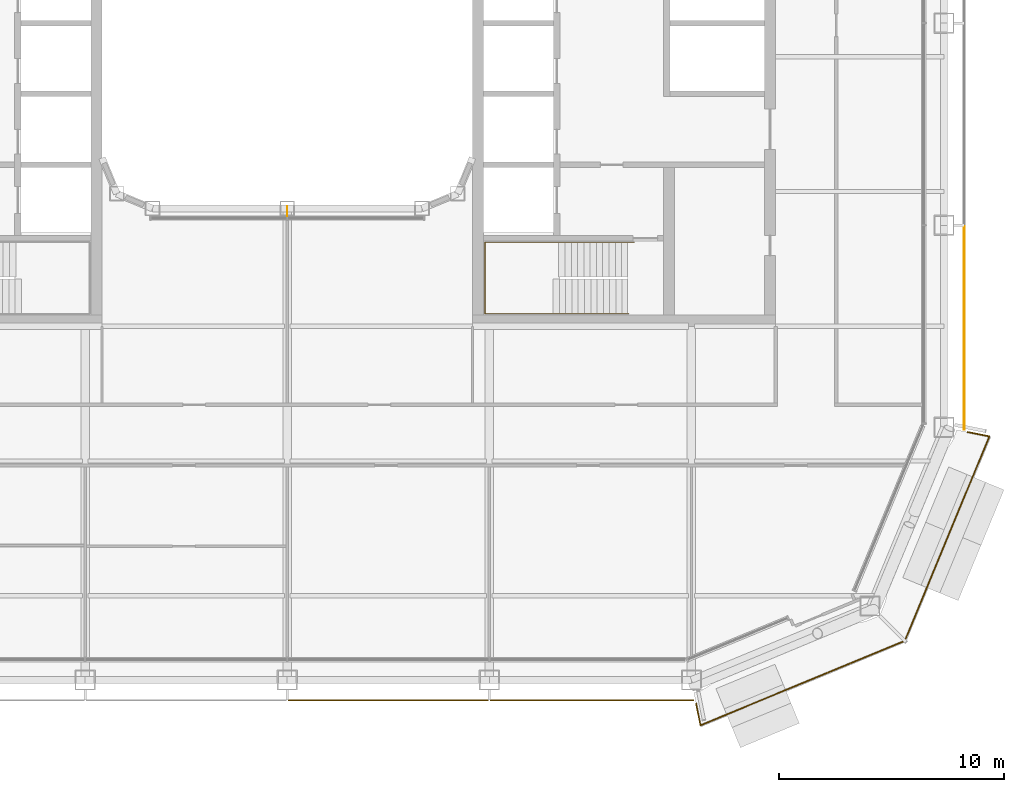
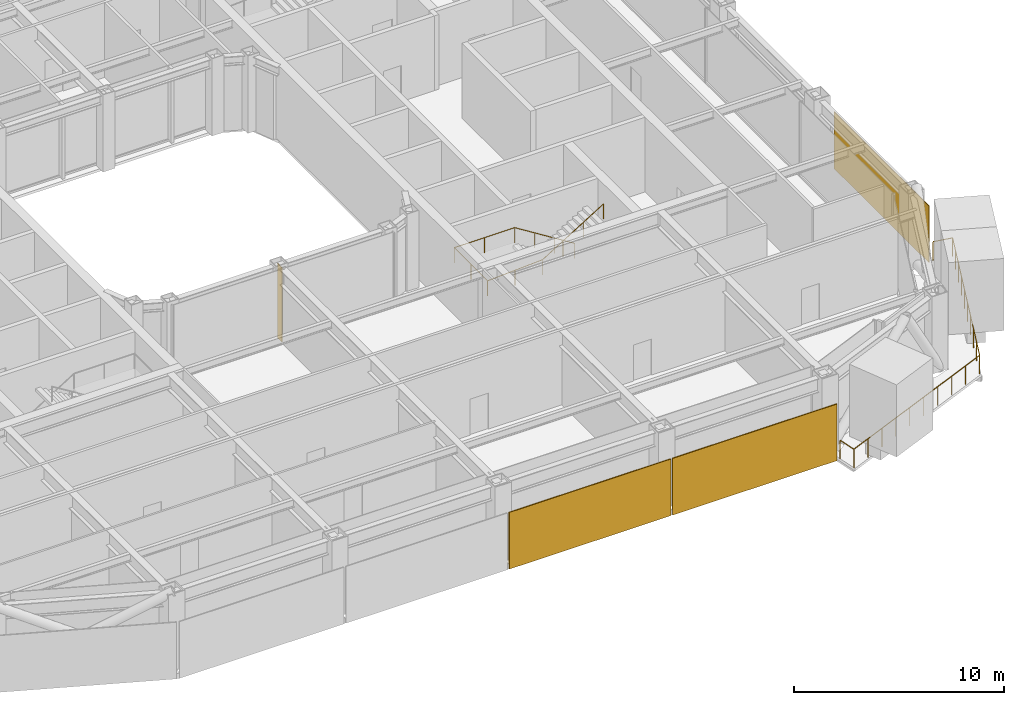
# One storey, part 19 of 23: 3 coverings, 2 railings, 1 shading device.
"""IFC4 building model written with IfcOpenShell, lengths in metres."""

from ifc_helpers import new_model, si_unit, direction, frame, origin, origin_2d, place, context, subcontext, project, spatial, rectangle, circle, extrude, material, layer, layer_set, type_object, element, save


model = new_model("IFC4")

# Units and contexts
model_context = context("Model", 3, precision=1e-05, world=origin(), true_north=direction((0.0, 1.0)))
body_context = subcontext(model_context, "Body", "Model", "MODEL_VIEW")
ifc_project = project(units=[si_unit("LENGTHUNIT", "METRE"), si_unit("AREAUNIT", "SQUARE_METRE"), si_unit("VOLUMEUNIT", "CUBIC_METRE"), si_unit("PLANEANGLEUNIT", "RADIAN"), si_unit("MASSUNIT", "GRAM", prefix="KILO")], contexts=[model_context])

# Site, building, storey
site_placement = place(None, origin())
site = spatial("IfcSite", under=ifc_project, at=site_placement, CompositionType="ELEMENT")
building_placement = place(site_placement, origin())
building = spatial("IfcBuilding", under=site, at=building_placement, Name="Siwar Civic Tower", CompositionType="ELEMENT")
storey_placement = place(building_placement, frame((0.0, 0.0, 145.199951171875)))
storey = spatial("IfcBuildingStorey", under=building, at=storey_placement, Name="L31", CompositionType="ELEMENT", Elevation=145.199951171875)

# Railing
ifc_material_1 = material(Name="Stainless steel", Category="steel")
railing_type_1 = type_object("IfcRailingType", Name="CORE-STAIR-HANDRAIL", PredefinedType="HANDRAIL", material=ifc_material_1)
railing_1_placement = place(storey_placement, frame((15.449951171875, -9.758056640625, 0.173095703125)))
element("IfcRailing", 1, at=railing_1_placement, inside=storey, type_object=railing_type_1, Name="Stair handrail ST4", PredefinedType="HANDRAIL", context=body_context, shape_type="SweptSolid", body=[
    extrude(circle(Radius=0.02001953125, at=origin_2d()), frame((0.0, 0.0, 0.8798828125), z_axis=(-0.847063342986, 0.0, 0.531491950051), x_axis=(0.0, -1.0, 0.0)), (0.0, 0.0, 1.0), 3.90771484375),
    extrude(circle(Radius=0.02001953125, at=origin_2d()), frame((-3.31005859375, 0.0, 2.956787109375), z_axis=(-1.0, 0.0, 0.0), x_axis=(0.0, -1.0, 0.0)), (0.0, 0.0, 1.0), 3.331787109375),
    extrude(circle(Radius=0.02001953125, at=origin_2d()), frame((-6.641845703125, 0.0, 2.956787109375), z_axis=(0.0, -1.0, 0.0), x_axis=(1.0, 0.0, 0.0)), (0.0, 0.0, 1.0), 3.183837890625),
    extrude(circle(Radius=0.02001953125, at=origin_2d()), frame((-6.641845703125, -3.183837890625, 2.956787109375), z_axis=(0.99837434197, 0.0, 0.056997134106), x_axis=(0.0, 1.0, 0.0)), (0.0, 0.0, 1.0), 3.036865234375),
    extrude(circle(Radius=0.02001953125, at=origin_2d()), frame((-3.60986328125, -3.183837890625, 3.1298828125), z_axis=(0.850606129759, 0.0, 0.525803396734), x_axis=(0.0, 1.0, 0.0)), (0.0, 0.0, 1.0), 3.949951171875),
    extrude(circle(Radius=0.02001953125, at=origin_2d()), origin(), (0.0, 0.0, 1.0), 0.85986328125),
    extrude(circle(Radius=0.02001953125, at=origin_2d()), frame((-1.103271484375, 0.0, 0.6923828125)), (0.0, 0.0, 1.0), 0.85986328125),
    extrude(circle(Radius=0.02001953125, at=origin_2d()), frame((-2.206787109375, 0.0, 1.384521484375)), (0.0, 0.0, 1.0), 0.85986328125),
    extrude(circle(Radius=0.02001953125, at=origin_2d()), frame((-3.31005859375, 0.0, 2.076904296875)), (0.0, 0.0, 1.0), 0.85986328125),
    extrude(circle(Radius=0.02001953125, at=origin_2d()), frame((-4.97607421875, 0.0, 2.076904296875)), (0.0, 0.0, 1.0), 0.85986328125),
    extrude(circle(Radius=0.02001953125, at=origin_2d()), frame((-6.641845703125, 0.0, 2.076904296875)), (0.0, 0.0, 1.0), 0.85986328125),
    extrude(circle(Radius=0.02001953125, at=origin_2d()), frame((-6.641845703125, -1.591796875, 2.076904296875)), (0.0, 0.0, 1.0), 0.85986328125),
    extrude(circle(Radius=0.02001953125, at=origin_2d()), frame((-6.641845703125, -3.183837890625, 2.076904296875)), (0.0, 0.0, 1.0), 0.85986328125),
    extrude(circle(Radius=0.02001953125, at=origin_2d()), frame((-5.1259765625, -3.183837890625, 2.16357421875)), (0.0, 0.0, 1.0), 0.85986328125),
    extrude(circle(Radius=0.02001953125, at=origin_2d()), frame((-3.60986328125, -3.183837890625, 2.25)), (0.0, 0.0, 1.0), 0.85986328125),
    extrude(circle(Radius=0.02001953125, at=origin_2d()), frame((-2.489990234375, -3.183837890625, 2.9423828125)), (0.0, 0.0, 1.0), 0.85986328125),
    extrude(circle(Radius=0.02001953125, at=origin_2d()), frame((-1.369873046875, -3.183837890625, 3.634521484375)), (0.0, 0.0, 1.0), 0.85986328125),
    extrude(circle(Radius=0.02001953125, at=origin_2d()), frame((-0.25, -3.183837890625, 4.326904296875)), (0.0, 0.0, 1.0), 0.85986328125),
])

# Shading device
ifc_material_2 = material(Name="Aluminium 6063-T6", Category="aluminium")
ifc_layer_1 = layer(ifc_material_2, 0.02001953125)
ifc_layer_set_1 = layer_set([ifc_layer_1], Name="Aluminium 6063-T6")
shading_device_type = type_object("IfcShadingDeviceType", Name="ENV-FIN", PredefinedType="JALOUSIE", material=ifc_layer_set_1)
shading_device_placement = place(storey_placement, frame((0.0, -8.3701171875, 0.0), z_axis=(0.0, 0.0, 1.0), x_axis=(1.0, 0.0, 0.0)))
element("IfcShadingDevice", 2, at=shading_device_placement, inside=storey, type_object=shading_device_type, Name="SUNSHADE fin WS 1", PredefinedType="JALOUSIE", context=body_context, shape_type="SweptSolid", body=[
    extrude(rectangle(XDim=0.02001953125, YDim=0.449951171875, at=origin_2d()), origin(), (0.0, 0.0, 1.0), 4.35009765625),
])

# Railing
ifc_material_3 = material(Name="Stainless steel 316", Category="steel")
railing_type_2 = type_object("IfcRailingType", Name="ENV-GUARD", PredefinedType="GUARDRAIL", material=ifc_material_3)
railing_2_placement = place(storey_placement, frame((18.208251953125, -30.297119140625, 0.0)))
element("IfcRailing", 3, at=railing_2_placement, inside=storey, type_object=railing_type_2, Name="Balcony guard SE", PredefinedType="GUARDRAIL", context=body_context, shape_type="SweptSolid", body=[
    extrude(circle(Radius=0.02392578125, at=origin_2d()), frame((0.0, 0.0, 1.076171875), z_axis=(0.195123592472, -0.980778661911, 0.0), x_axis=(0.980778661911, 0.195123592472, 0.0)), (0.0, 0.0, 1.0), 0.993408203125),
    extrude(circle(Radius=0.02392578125, at=origin_2d()), frame((0.19384765625, -0.974365234375, 1.076171875), z_axis=(0.924056377406, 0.38225621169, 0.0), x_axis=(-0.38225621169, 0.924056377406, 0.0)), (0.0, 0.0, 1.0), 9.851806640625),
    extrude(circle(Radius=0.02392578125, at=origin_2d()), frame((9.29736328125, 2.79150390625, 1.076171875), z_axis=(0.38225621169, 0.924056377406, 0.0), x_axis=(-0.924056377406, 0.38225621169, 0.0)), (0.0, 0.0, 1.0), 9.851806640625),
    extrude(circle(Radius=0.02392578125, at=origin_2d()), frame((13.063232421875, 11.89501953125, 1.076171875), z_axis=(-0.980778661911, 0.195123592472, 0.0), x_axis=(-0.195123592472, -0.980778661911, 0.0)), (0.0, 0.0, 1.0), 0.993408203125),
    extrude(circle(Radius=0.02099609375, at=origin_2d()), origin(), (0.0, 0.0, 1.0), 1.052001953125),
    extrude(circle(Radius=0.02099609375, at=origin_2d()), frame((0.19384765625, -0.974365234375, 0.0)), (0.0, 0.0, 1.0), 1.052001953125),
    extrude(circle(Radius=0.02099609375, at=origin_2d()), frame((1.205322265625, -0.555908203125, 0.0)), (0.0, 0.0, 1.0), 1.052001953125),
    extrude(circle(Radius=0.02099609375, at=origin_2d()), frame((2.216796875, -0.137451171875, 0.0)), (0.0, 0.0, 1.0), 1.052001953125),
    extrude(circle(Radius=0.02099609375, at=origin_2d()), frame((3.228271484375, 0.281005859375, 0.0)), (0.0, 0.0, 1.0), 1.052001953125),
    extrude(circle(Radius=0.02099609375, at=origin_2d()), frame((4.23974609375, 0.699462890625, 0.0)), (0.0, 0.0, 1.0), 1.052001953125),
    extrude(circle(Radius=0.02099609375, at=origin_2d()), frame((5.25146484375, 1.11767578125, 0.0)), (0.0, 0.0, 1.0), 1.052001953125),
    extrude(circle(Radius=0.02099609375, at=origin_2d()), frame((6.262939453125, 1.5361328125, 0.0)), (0.0, 0.0, 1.0), 1.052001953125),
    extrude(circle(Radius=0.02099609375, at=origin_2d()), frame((7.2744140625, 1.95458984375, 0.0)), (0.0, 0.0, 1.0), 1.052001953125),
    extrude(circle(Radius=0.02099609375, at=origin_2d()), frame((8.285888671875, 2.373046875, 0.0)), (0.0, 0.0, 1.0), 1.052001953125),
    extrude(circle(Radius=0.02099609375, at=origin_2d()), frame((9.29736328125, 2.79150390625, 0.0)), (0.0, 0.0, 1.0), 1.052001953125),
    extrude(circle(Radius=0.02099609375, at=origin_2d()), frame((9.7158203125, 3.802978515625, 0.0)), (0.0, 0.0, 1.0), 1.052001953125),
    extrude(circle(Radius=0.02099609375, at=origin_2d()), frame((10.13427734375, 4.814453125, 0.0)), (0.0, 0.0, 1.0), 1.052001953125),
    extrude(circle(Radius=0.02099609375, at=origin_2d()), frame((10.552734375, 5.825927734375, 0.0)), (0.0, 0.0, 1.0), 1.052001953125),
    extrude(circle(Radius=0.02099609375, at=origin_2d()), frame((10.97119140625, 6.83740234375, 0.0)), (0.0, 0.0, 1.0), 1.052001953125),
    extrude(circle(Radius=0.02099609375, at=origin_2d()), frame((11.389404296875, 7.84912109375, 0.0)), (0.0, 0.0, 1.0), 1.052001953125),
    extrude(circle(Radius=0.02099609375, at=origin_2d()), frame((11.807861328125, 8.860595703125, 0.0)), (0.0, 0.0, 1.0), 1.052001953125),
    extrude(circle(Radius=0.02099609375, at=origin_2d()), frame((12.226318359375, 9.8720703125, 0.0)), (0.0, 0.0, 1.0), 1.052001953125),
    extrude(circle(Radius=0.02099609375, at=origin_2d()), frame((12.644775390625, 10.883544921875, 0.0)), (0.0, 0.0, 1.0), 1.052001953125),
    extrude(circle(Radius=0.02099609375, at=origin_2d()), frame((13.063232421875, 11.89501953125, 0.0)), (0.0, 0.0, 1.0), 1.052001953125),
    extrude(circle(Radius=0.02099609375, at=origin_2d()), frame((12.0888671875, 12.0888671875, 0.0)), (0.0, 0.0, 1.0), 1.052001953125),
])

# Coverings
ifc_material_4 = material(Name="Perforated aluminium cassette, pale metal", Category="aluminium")
ifc_layer_2 = layer(ifc_material_4, 0.0400390625)
ifc_layer_set_2 = layer_set([ifc_layer_2], Name="Perforated aluminium cassette, pale metal")
covering_type_1 = type_object("IfcCoveringType", Name="ENV-OUTER SKIN OS-1", PredefinedType="CLADDING", material=ifc_layer_set_2)
covering_1_placement = place(storey_placement, frame((30.14990234375, -13.57958984375, -0.14990234375), z_axis=(0.0, 0.0, 1.0), x_axis=(0.0, 1.0, 0.0)))
element("IfcCovering", 4, at=covering_1_placement, inside=storey, type_object=covering_type_1, Name="OUTER SKIN OS-1 E 1", PredefinedType="CLADDING", context=body_context, shape_type="SweptSolid", body=[
    extrude(rectangle(XDim=9.05908203125, YDim=0.0400390625, at=origin_2d()), origin(), (0.0, 0.0, 1.0), 3.300048828125),
])
ifc_material_5 = material(Name="Perforated aluminium cassette, pale metal", Category="aluminium")
ifc_layer_3 = layer(ifc_material_5, 0.054931640625)
ifc_layer_set_3 = layer_set([ifc_layer_3], Name="Perforated aluminium cassette, pale metal")
covering_type_2 = type_object("IfcCoveringType", Name="ENV-OUTER SKIN OS-4", PredefinedType="CLADDING", material=ifc_layer_set_3)
covering_2_placement = place(storey_placement, frame((4.5, -30.14990234375, -0.14990234375), z_axis=(0.0, 0.0, 1.0), x_axis=(1.0, 0.0, 0.0)))
element("IfcCovering", 5, at=covering_2_placement, inside=storey, type_object=covering_type_2, Name="OUTER SKIN OS-4 S 3", PredefinedType="CLADDING", context=body_context, shape_type="SweptSolid", body=[
    extrude(rectangle(XDim=8.89990234375, YDim=0.054931640625, at=origin_2d()), origin(), (0.0, 0.0, 1.0), 3.300048828125),
])
covering_3_placement = place(storey_placement, frame((13.57958984375, -30.14990234375, -0.14990234375), z_axis=(0.0, 0.0, 1.0), x_axis=(1.0, 0.0, 0.0)))
element("IfcCovering", 6, at=covering_3_placement, inside=storey, type_object=covering_type_2, Name="OUTER SKIN OS-4 S 4", PredefinedType="CLADDING", context=body_context, shape_type="SweptSolid", body=[
    extrude(rectangle(XDim=9.05908203125, YDim=0.054931640625, at=origin_2d()), origin(), (0.0, 0.0, 1.0), 3.300048828125),
])

save(model, "model.ifc")
